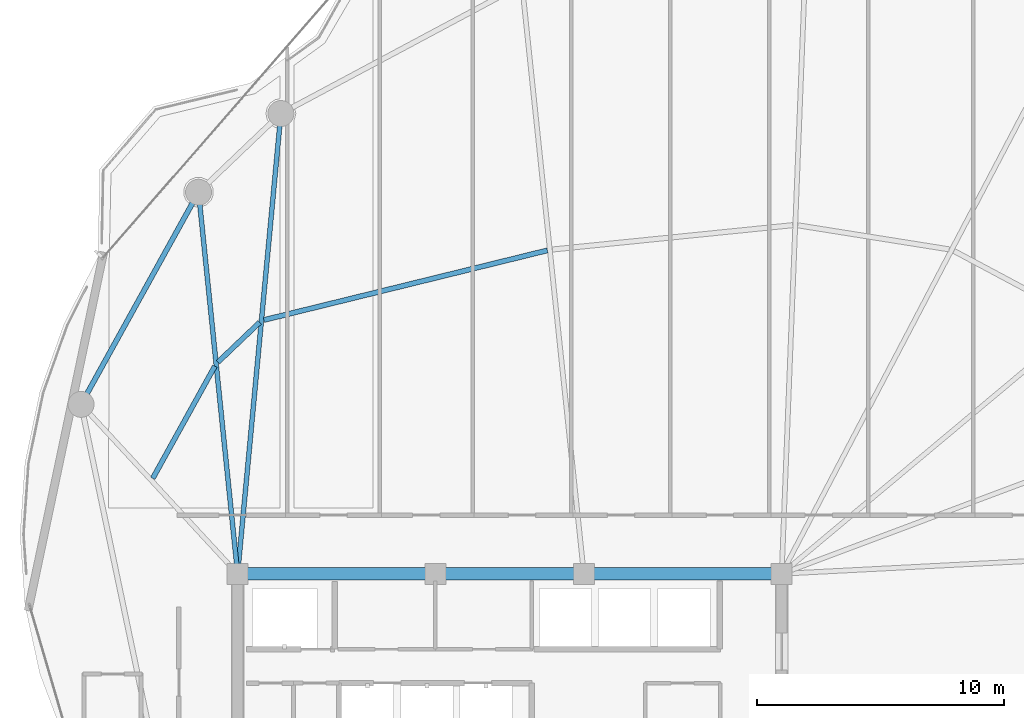
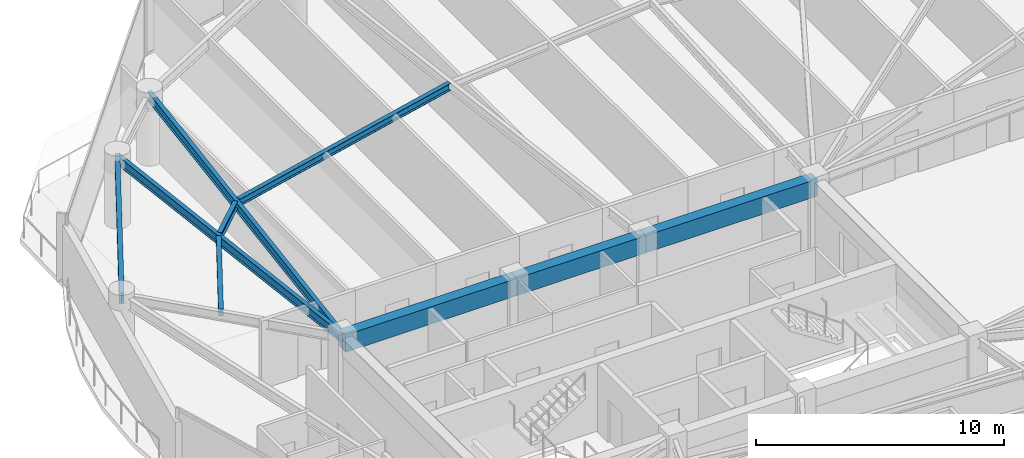
# One storey, part 8 of 29: 9 beams.
"""IFC4 building model written with IfcOpenShell, lengths in metres."""

from ifc_helpers import new_model, si_unit, direction, frame, origin, origin_2d, place, context, subcontext, project, spatial, rectangle, i_section, extrude, material, material_profile, profile_set, type_object, element, save


model = new_model("IFC4")

# Units and contexts
model_context = context("Model", 3, precision=1e-05, world=origin(), true_north=direction((0.0, 1.0)))
body_context = subcontext(model_context, "Body", "Model", "MODEL_VIEW")
ifc_project = project(units=[si_unit("LENGTHUNIT", "METRE"), si_unit("AREAUNIT", "SQUARE_METRE"), si_unit("VOLUMEUNIT", "CUBIC_METRE"), si_unit("PLANEANGLEUNIT", "RADIAN"), si_unit("MASSUNIT", "GRAM", prefix="KILO")], contexts=[model_context])

# Site, building, storey
site_placement = place(None, origin())
site = spatial("IfcSite", under=ifc_project, at=site_placement, CompositionType="ELEMENT")
building_placement = place(site_placement, origin())
building = spatial("IfcBuilding", under=site, at=building_placement, Name="Kazevale Care Tower and Concert Hall", CompositionType="ELEMENT")
storey_placement = place(building_placement, frame((0.0, 0.0, 195.60009765625)))
storey = spatial("IfcBuildingStorey", under=building, at=storey_placement, Name="L51", CompositionType="ELEMENT", Elevation=195.60009765625)

# Beams
ifc_material_1 = material(Name="Concrete C60", Category="concrete")
ifc_material_profile_1 = material_profile(ifc_material_1, rectangle(XDim=0.5, YDim=0.85009765625, at=origin_2d()), Name="RC-B500x850")
ifc_profile_set_1 = profile_set([ifc_material_profile_1], Name="Concrete C60")
beam_type_1 = type_object("IfcBeamType", Name="Core Coupling Beam RC500x850", PredefinedType="LINTEL", material=ifc_profile_set_1)
beam_1_placement = place(storey_placement, frame((44.0, 36.39990234375, 2.934814453125), z_axis=(-1.0, 0.0, 0.0), x_axis=(0.0, -1.0, 0.0)))
element("IfcBeam", 1, at=beam_1_placement, inside=storey, type_object=beam_type_1, Name="beam:L51:coretie:5", PredefinedType="LINTEL", context=body_context, shape_type="SweptSolid", body=[
    extrude(rectangle(XDim=0.5, YDim=0.85009765625, at=origin_2d()), origin(), (0.0, 0.0, 1.0), 8.0),
])
beam_2_placement = place(storey_placement, frame((36.0, 36.39990234375, 2.934814453125), z_axis=(-1.0, 0.0, 0.0), x_axis=(0.0, -1.0, 0.0)))
element("IfcBeam", 2, at=beam_2_placement, inside=storey, type_object=beam_type_1, Name="beam:L51:coretie:6", PredefinedType="LINTEL", context=body_context, shape_type="SweptSolid", body=[
    extrude(rectangle(XDim=0.5, YDim=0.85009765625, at=origin_2d()), origin(), (0.0, 0.0, 1.0), 6.0),
])
beam_3_placement = place(storey_placement, frame((30.0, 36.39990234375, 2.934814453125), z_axis=(-1.0, 0.0, 0.0), x_axis=(0.0, -1.0, 0.0)))
element("IfcBeam", 3, at=beam_3_placement, inside=storey, type_object=beam_type_1, Name="beam:L51:coretie:7", PredefinedType="LINTEL", context=body_context, shape_type="SweptSolid", body=[
    extrude(rectangle(XDim=0.5, YDim=0.85009765625, at=origin_2d()), origin(), (0.0, 0.0, 1.0), 8.0),
])
ifc_material_2 = material(Name="Steel ASTM A572 Gr 50", Category="steel")
ifc_material_profile_2 = material_profile(ifc_material_2, i_section(OverallWidth=0.19091796875, OverallDepth=0.4599609375, WebThickness=0.010009765625, FlangeThickness=0.01611328125, at=origin_2d()), Name="W460x82")
ifc_profile_set_2 = profile_set([ifc_material_profile_2], Name="Steel ASTM A572 Gr 50")
beam_type_2 = type_object("IfcBeamType", Name="Radial Floor Beam W460x82", PredefinedType="BEAM", material=ifc_profile_set_2)
beam_4_placement = place(storey_placement, frame((22.0, 36.39990234375, 3.1298828125), z_axis=(0.093621904075, 0.995607823933, 0.0), x_axis=(-0.995607823933, 0.093621904075, 0.0)))
element("IfcBeam", 4, at=beam_4_placement, inside=storey, type_object=beam_type_2, Name="beam:L51:rad:07", PredefinedType="BEAM", context=body_context, shape_type="SweptSolid", body=[
    extrude(i_section(OverallWidth=0.19091796875, OverallDepth=0.4599609375, WebThickness=0.010009765625, FlangeThickness=0.01611328125, at=origin_2d()), origin(), (0.0, 0.0, 1.0), 18.692138671875),
])
beam_5_placement = place(storey_placement, frame((22.0, 36.39990234375, 3.1298828125), z_axis=(-0.101869109083, 0.994797810922, 0.0), x_axis=(-0.994797810922, -0.101869109083, 0.0)))
element("IfcBeam", 5, at=beam_5_placement, inside=storey, type_object=beam_type_2, Name="beam:L51:rad:08", PredefinedType="BEAM", context=body_context, shape_type="SweptSolid", body=[
    extrude(i_section(OverallWidth=0.19091796875, OverallDepth=0.4599609375, WebThickness=0.010009765625, FlangeThickness=0.01611328125, at=origin_2d()), origin(), (0.0, 0.0, 1.0), 15.510986328125),
])
ifc_material_profile_3 = material_profile(ifc_material_2, i_section(OverallWidth=0.205078125, OverallDepth=0.35400390625, WebThickness=0.009521484375, FlangeThickness=0.016845703125, at=origin_2d()), Name="W360x79")
ifc_profile_set_3 = profile_set([ifc_material_profile_3], Name="Steel ASTM A572 Gr 50")
beam_type_3 = type_object("IfcBeamType", Name="Secondary Floor Joist W360x79", PredefinedType="JOIST", material=ifc_profile_set_3)
beam_6_placement = place(storey_placement, frame((34.52294921875, 49.47607421875, 3.182861328125), z_axis=(-0.971122715177, -0.238580535809, 0.0), x_axis=(0.238580535809, -0.971122715177, 0.0)))
element("IfcBeam", 6, at=beam_6_placement, inside=storey, type_object=beam_type_3, Name="beam:L51:joist:06", PredefinedType="JOIST", context=body_context, shape_type="SweptSolid", body=[
    extrude(i_section(OverallWidth=0.205078125, OverallDepth=0.35400390625, WebThickness=0.009521484375, FlangeThickness=0.016845703125, at=origin_2d()), origin(), (0.0, 0.0, 1.0), 11.7998046875),
])
beam_7_placement = place(storey_placement, frame((22.886962890625, 46.56298828125, 3.182861328125), z_axis=(-0.723262472539, -0.690573237114, 0.0), x_axis=(0.690573237114, -0.723262472539, 0.0)))
element("IfcBeam", 7, at=beam_7_placement, inside=storey, type_object=beam_type_3, Name="beam:L51:joist:07", PredefinedType="JOIST", context=body_context, shape_type="SweptSolid", body=[
    extrude(i_section(OverallWidth=0.205078125, OverallDepth=0.35400390625, WebThickness=0.009521484375, FlangeThickness=0.016845703125, at=origin_2d()), origin(), (0.0, 0.0, 1.0), 2.32275390625),
])
beam_8_placement = place(storey_placement, frame((21.080078125, 44.794921875, 3.182861328125), z_axis=(-0.484322963201, -0.874889288605, 0.0), x_axis=(0.874889288605, -0.484322963201, 0.0)))
element("IfcBeam", 8, at=beam_8_placement, inside=storey, type_object=beam_type_3, Name="beam:L51:joist:08", PredefinedType="JOIST", context=body_context, shape_type="SweptSolid", body=[
    extrude(i_section(OverallWidth=0.205078125, OverallDepth=0.35400390625, WebThickness=0.009521484375, FlangeThickness=0.016845703125, at=origin_2d()), origin(), (0.0, 0.0, 1.0), 5.1845703125),
])
ifc_material_profile_4 = material_profile(ifc_material_2, i_section(OverallWidth=0.208984375, OverallDepth=0.532958984375, WebThickness=0.01025390625, FlangeThickness=0.015625, at=origin_2d()), Name="W530x92")
ifc_profile_set_4 = profile_set([ifc_material_profile_4], Name="Steel ASTM A572 Gr 50")
beam_type_4 = type_object("IfcBeamType", Name="Upper Ring Beam W530x92", PredefinedType="BEAM", material=ifc_profile_set_4)
beam_9_placement = place(storey_placement, frame((20.419921875, 51.830078125, 3.093505859375), z_axis=(-0.484340382014, -0.874879645637, 0.0), x_axis=(0.874879645637, -0.484340382014, 0.0)))
element("IfcBeam", 9, at=beam_9_placement, inside=storey, type_object=beam_type_4, Name="beam:L51:ring:08", PredefinedType="BEAM", context=body_context, shape_type="SweptSolid", body=[
    extrude(i_section(OverallWidth=0.208984375, OverallDepth=0.532958984375, WebThickness=0.01025390625, FlangeThickness=0.015625, at=origin_2d()), origin(), (0.0, 0.0, 1.0), 9.80712890625),
])

save(model, "model.ifc")
